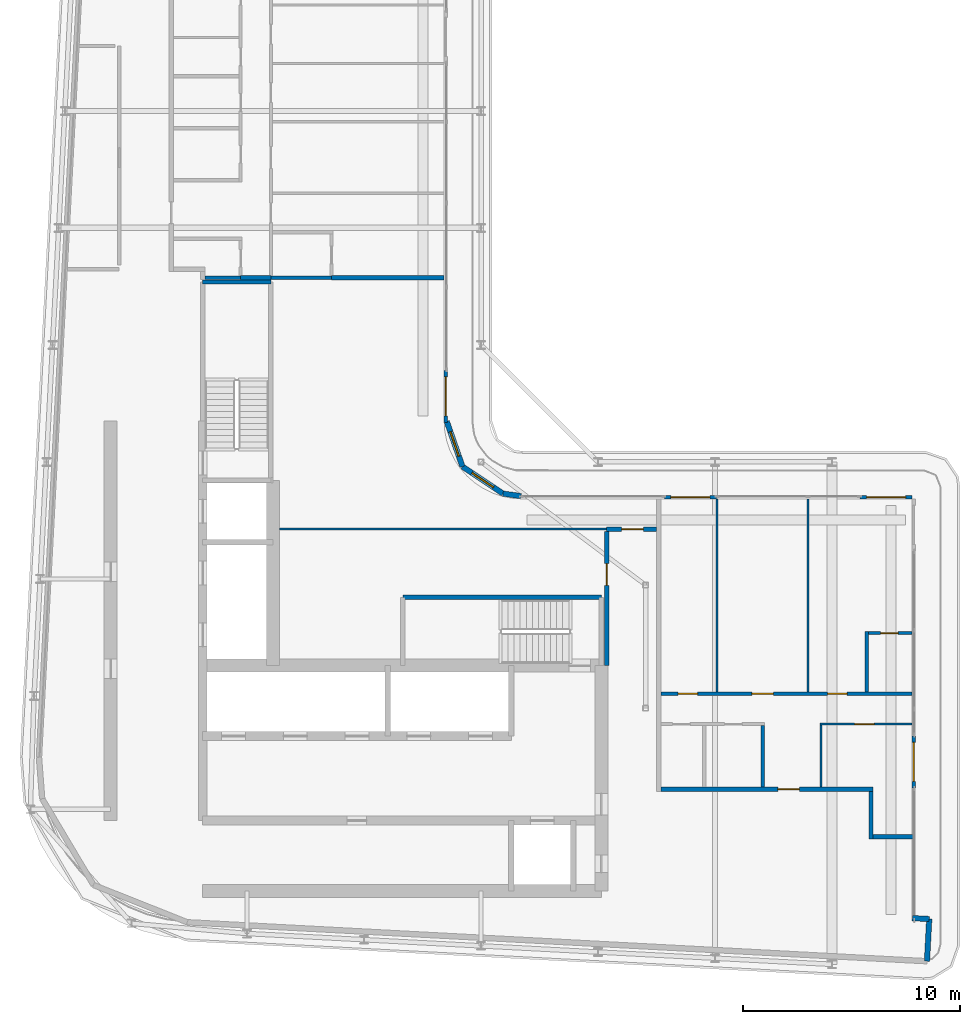
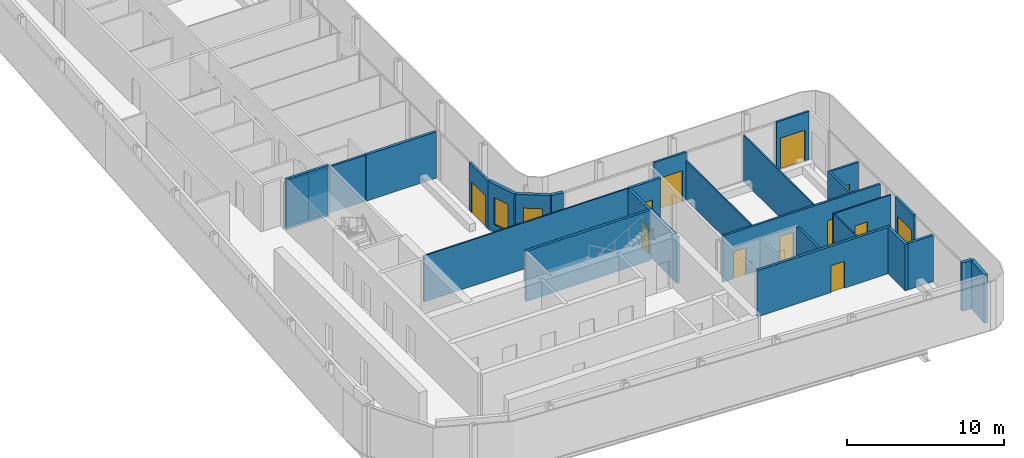
# One storey, part 12 of 21: 29 walls, 12 doors, 2 windows, 14 openings.
"""IFC4 building model written with IfcOpenShell, lengths in metres."""

from ifc_helpers import new_model, si_unit, direction, frame, frame_2d, origin, place, context, subcontext, project, spatial, rectangle, extrude, source, transform, mapped, material, layer, layer_set, type_object, element, fill, save


model = new_model("IFC4")

# Units and contexts
model_context = context("Model", 3, precision=1e-05, world=origin(), true_north=direction((0.0, 1.0)))
body_context = subcontext(model_context, "Body", "Model", "MODEL_VIEW")
ifc_project = project(units=[si_unit("LENGTHUNIT", "METRE"), si_unit("AREAUNIT", "SQUARE_METRE"), si_unit("VOLUMEUNIT", "CUBIC_METRE"), si_unit("PLANEANGLEUNIT", "RADIAN"), si_unit("MASSUNIT", "GRAM", prefix="KILO")], contexts=[model_context])

# Site, building, storey
site_placement = place(None, origin())
site = spatial("IfcSite", under=ifc_project, at=site_placement, CompositionType="ELEMENT")
building_placement = place(site_placement, origin())
building = spatial("IfcBuilding", under=site, at=building_placement, Name="Kheshtan School and Residences Tower", CompositionType="ELEMENT")
storey_placement = place(building_placement, frame((0.0, 0.0, 305.89990234375)))
storey = spatial("IfcBuildingStorey", under=building, at=storey_placement, Name="L72", CompositionType="ELEMENT", Elevation=305.89990234375)

# Wall, opening, door
ifc_material_1 = material(Name="Gypsum board on steel studs with fire boards", Category="steel")
ifc_layer_1 = layer(ifc_material_1, 0.199951171875)
ifc_layer_set_1 = layer_set([ifc_layer_1], Name="Corridor wall 200")
wall_type_1 = type_object("IfcWallType", Name="Corridor wall 200", PredefinedType="PARTITIONING", material=ifc_layer_set_1)
wall_1_placement = place(storey_placement, frame((53.39990234375, 36.198974609375, 0.0), z_axis=(0.0, 0.0, 1.0), x_axis=(0.0, 1.0, 0.0)))
wall_1 = element("IfcWall", 1, at=wall_1_placement, inside=storey, type_object=wall_type_1, Name="Partition L72-043", PredefinedType="PARTITIONING", context=body_context, shape_type="SweptSolid", body=[
    extrude(rectangle(XDim=6.200927734375, YDim=0.199951171875, at=frame_2d((3.1005859375, 0.0))), origin(), (0.0, 0.0, 1.0), 3.60009765625),
])
opening_1_placement = place(wall_1_placement, frame((3.70703125, 0.0, 0.0)))
opening_1 = element("IfcOpeningElement", 2, at=opening_1_placement, cuts=wall_1, Name="Opening D72-037", PredefinedType="OPENING", context=body_context, shape_type="SweptSolid", body=[
    extrude(rectangle(XDim=1.0, YDim=2.10009765625, at=frame_2d((0.5, 1.050048828125))), frame((0.0, 0.10986328125, 0.0), z_axis=(0.0, -1.0, 0.0), x_axis=(1.0, 0.0, 0.0)), (0.0, 0.0, 1.0), 0.219970703125),
])
ifc_material_2 = material(Name="Steel-framed fire-resisting door leaf", Category="steel")
door_type_1 = type_object("IfcDoorType", Name="Fire door FD60 1000 x 2100", OperationType="SINGLE_SWING_LEFT", PredefinedType="DOOR", material=ifc_material_2)
shared_shape_1 = source(origin(), body_context, "Body", "SweptSolid", [
    extrude(rectangle(XDim=1.0, YDim=2.10009765625, at=frame_2d((0.5, 1.050048828125))), frame((0.0, 0.02490234375, 0.0), z_axis=(0.0, -1.0, 0.0), x_axis=(1.0, 0.0, 0.0)), (0.0, 0.0, 1.0), 0.050048828125),
])
door_1_placement = place(opening_1_placement, origin())
door_1 = element("IfcDoor", 3, at=door_1_placement, inside=storey, type_object=door_type_1, Name="Door D72-037", OperationType="SINGLE_SWING_LEFT", OverallHeight=2.10009765625, OverallWidth=1.0, PredefinedType="DOOR", context=body_context, shape_type="MappedRepresentation", body=[
    mapped(shared_shape_1, transform((0.0, 0.0, 0.0), x_axis=(1.0, 0.0, 0.0), y_axis=(0.0, 1.0, 0.0), z_axis=(0.0, 0.0, 1.0), scale=1.0)),
])
fill(opening_1, door_1)

wall_2_placement = place(storey_placement, frame((53.39990234375, 42.5, 0.0), z_axis=(0.0, 0.0, 1.0), x_axis=(1.0, 0.0, 0.0)))
wall_2 = element("IfcWall", 4, at=wall_2_placement, inside=storey, type_object=wall_type_1, Name="Partition L72-044", PredefinedType="PARTITIONING", context=body_context, shape_type="SweptSolid", body=[
    extrude(rectangle(XDim=2.300048828125, YDim=0.199951171875, at=frame_2d((1.14990234375, 0.0))), origin(), (0.0, 0.0, 1.0), 3.60009765625),
])
opening_2_placement = place(wall_2_placement, frame((0.695068359375, 0.0, 0.0)))
opening_2 = element("IfcOpeningElement", 5, at=opening_2_placement, cuts=wall_2, Name="Opening D72-038", PredefinedType="OPENING", context=body_context, shape_type="SweptSolid", body=[
    extrude(rectangle(XDim=1.0, YDim=2.10009765625, at=frame_2d((0.5, 1.050048828125))), frame((0.0, 0.10986328125, 0.0), z_axis=(0.0, -1.0, 0.0), x_axis=(1.0, 0.0, 0.0)), (0.0, 0.0, 1.0), 0.219970703125),
])
door_2_placement = place(opening_2_placement, origin())
door_2 = element("IfcDoor", 6, at=door_2_placement, inside=storey, type_object=door_type_1, Name="Door D72-038", OperationType="SINGLE_SWING_RIGHT", OverallHeight=2.10009765625, OverallWidth=1.0, PredefinedType="DOOR", context=body_context, shape_type="MappedRepresentation", body=[
    mapped(shared_shape_1, transform((0.0, 0.0, 0.0), x_axis=(1.0, 0.0, 0.0), y_axis=(0.0, 1.0, 0.0), z_axis=(0.0, 0.0, 1.0), scale=1.0)),
])
fill(opening_2, door_2)

wall_3_placement = place(storey_placement, frame((55.89990234375, 30.5, 0.0), z_axis=(0.0, 0.0, 1.0), x_axis=(1.0, 0.0, 0.0)))
wall_3 = element("IfcWall", 7, at=wall_3_placement, inside=storey, type_object=wall_type_1, Name="Partition L72-046", PredefinedType="PARTITIONING", context=body_context, shape_type="SweptSolid", body=[
    extrude(rectangle(XDim=9.800048828125, YDim=0.199951171875, at=frame_2d((4.89990234375, 0.0))), origin(), (0.0, 0.0, 1.0), 3.60009765625),
])
opening_3_placement = place(wall_3_placement, frame((5.39990234375, 0.0, 0.0)))
opening_3 = element("IfcOpeningElement", 8, at=opening_3_placement, cuts=wall_3, Name="Opening D72-004", PredefinedType="OPENING", context=body_context, shape_type="SweptSolid", body=[
    extrude(rectangle(XDim=1.0, YDim=2.10009765625, at=frame_2d((0.5, 1.050048828125))), frame((0.0, 0.10986328125, 0.0), z_axis=(0.0, -1.0, 0.0), x_axis=(1.0, 0.0, 0.0)), (0.0, 0.0, 1.0), 0.219970703125),
])
door_type_2 = type_object("IfcDoorType", Name="Fire door FD30S 1000 x 2100", OperationType="SINGLE_SWING_LEFT", PredefinedType="DOOR", material=ifc_material_2)
shared_shape_2 = source(origin(), body_context, "Body", "SweptSolid", [
    extrude(rectangle(XDim=1.0, YDim=2.10009765625, at=frame_2d((0.5, 1.050048828125))), frame((0.0, 0.02490234375, 0.0), z_axis=(0.0, -1.0, 0.0), x_axis=(1.0, 0.0, 0.0)), (0.0, 0.0, 1.0), 0.050048828125),
])
door_3_placement = place(opening_3_placement, origin())
door_3 = element("IfcDoor", 9, at=door_3_placement, inside=storey, type_object=door_type_2, Name="Door D72-004", OperationType="SINGLE_SWING_LEFT", OverallHeight=2.10009765625, OverallWidth=1.0, PredefinedType="DOOR", context=body_context, shape_type="MappedRepresentation", body=[
    mapped(shared_shape_2, transform((0.0, 0.0, 0.0), x_axis=(1.0, 0.0, 0.0), y_axis=(0.0, 1.0, 0.0), z_axis=(0.0, 0.0, 1.0), scale=1.0)),
])
fill(opening_3, door_3)

# Walls
wall_4_placement = place(storey_placement, frame((65.60009765625, 28.199951171875, 0.0), z_axis=(0.0, 0.0, 1.0), x_axis=(0.0, 1.0, 0.0)))
element("IfcWall", 10, at=wall_4_placement, inside=storey, type_object=wall_type_1, Name="Partition L72-057", PredefinedType="PARTITIONING", context=body_context, shape_type="SweptSolid", body=[
    extrude(rectangle(XDim=2.199951171875, YDim=0.199951171875, at=frame_2d((1.10009765625, 0.0))), origin(), (0.0, 0.0, 1.0), 3.60009765625),
])
wall_5_placement = place(storey_placement, frame((65.699951171875, 28.300048828125, 0.0), z_axis=(0.0, 0.0, 1.0), x_axis=(1.0, 0.0, 0.0)))
element("IfcWall", 11, at=wall_5_placement, inside=storey, type_object=wall_type_1, Name="Partition L72-058", PredefinedType="PARTITIONING", context=body_context, shape_type="SweptSolid", body=[
    extrude(rectangle(XDim=1.8701171875, YDim=0.199951171875, at=frame_2d((0.93505859375, 0.0))), origin(), (0.0, 0.0, 1.0), 3.60009765625),
])

# Wall, opening, window
ifc_material_3 = material(Name="Concrete C40/50 with ceramic cladding and mineral wool insulation", Category="concrete")
ifc_layer_2 = layer(ifc_material_3, 0.25)
ifc_layer_set_2 = layer_set([ifc_layer_2], Name="External wall 250 ceramic clad")
wall_type_2 = type_object("IfcWallType", Name="External wall 250 ceramic clad", PredefinedType="SOLIDWALL", material=ifc_layer_set_2)
wall_6_placement = place(storey_placement, frame((46.01806640625, 47.470947265625, 0.0), z_axis=(0.0, 0.0, 1.0), x_axis=(0.328791208903, -0.944402637093, 0.0)))
wall_6 = element("IfcWall", 12, at=wall_6_placement, inside=storey, type_object=wall_type_2, Name="External wall L72 9", PredefinedType="SOLIDWALL", context=body_context, shape_type="SweptSolid", body=[
    extrude(rectangle(XDim=2.20458984375, YDim=0.25, at=frame_2d((1.102294921875, 0.0))), origin(), (0.0, 0.0, 1.0), 3.75),
])
opening_4_placement = place(wall_6_placement, frame((0.5029296875, 0.0, 0.60009765625)))
opening_4 = element("IfcOpeningElement", 13, at=opening_4_placement, cuts=wall_6, Name="Opening WN-E", PredefinedType="OPENING", context=body_context, shape_type="SweptSolid", body=[
    extrude(rectangle(XDim=1.199951171875, YDim=2.10009765625, at=frame_2d((0.60009765625, 1.050048828125))), frame((0.0, 0.135009765625, 0.0), z_axis=(0.0, -1.0, 0.0), x_axis=(1.0, 0.0, 0.0)), (0.0, 0.0, 1.0), 0.27001953125),
])
ifc_material_4 = material(Name="Clear low-e glass in thermally broken aluminium frame", Category="aluminium")
window_type = type_object("IfcWindowType", Name="Window WN-E", PartitioningType="SINGLE_PANEL", PredefinedType="WINDOW", material=ifc_material_4)
shared_shape_3 = source(origin(), body_context, "Body", "SweptSolid", [
    extrude(rectangle(XDim=1.199951171875, YDim=2.10009765625, at=frame_2d((0.60009765625, 1.050048828125))), frame((0.0, 0.030029296875, 0.0), z_axis=(0.0, -1.0, 0.0), x_axis=(1.0, 0.0, 0.0)), (0.0, 0.0, 1.0), 0.06005859375),
])
window_1_placement = place(opening_4_placement, origin())
window_1 = element("IfcWindow", 14, at=window_1_placement, inside=storey, type_object=window_type, Name="Window L72 9", OverallHeight=2.10009765625, OverallWidth=1.199951171875, PartitioningType="SINGLE_PANEL", PredefinedType="WINDOW", context=body_context, shape_type="MappedRepresentation", body=[
    mapped(shared_shape_3, transform((0.0, 0.0, 0.0), x_axis=(1.0, 0.0, 0.0), y_axis=(0.0, 1.0, 0.0), z_axis=(0.0, 0.0, 1.0), scale=1.0)),
])
fill(opening_4, window_1)

wall_7_placement = place(storey_placement, frame((46.742919921875, 45.388916015625, 0.0), z_axis=(0.0, 0.0, 1.0), x_axis=(0.831449265529, -0.555600682912, 0.0)))
wall_7 = element("IfcWall", 15, at=wall_7_placement, inside=storey, type_object=wall_type_2, Name="External wall L72 10", PredefinedType="SOLIDWALL", context=body_context, shape_type="SweptSolid", body=[
    extrude(rectangle(XDim=2.25146484375, YDim=0.25, at=frame_2d((1.125732421875, 0.0))), origin(), (0.0, 0.0, 1.0), 3.75),
])
opening_5_placement = place(wall_7_placement, frame((0.52490234375, 0.0, 0.60009765625)))
opening_5 = element("IfcOpeningElement", 16, at=opening_5_placement, cuts=wall_7, Name="Opening WN-E", PredefinedType="OPENING", context=body_context, shape_type="SweptSolid", body=[
    extrude(rectangle(XDim=1.199951171875, YDim=2.10009765625, at=frame_2d((0.60009765625, 1.050048828125))), frame((0.0, 0.135009765625, 0.0), z_axis=(0.0, -1.0, 0.0), x_axis=(1.0, 0.0, 0.0)), (0.0, 0.0, 1.0), 0.27001953125),
])
window_2_placement = place(opening_5_placement, origin())
window_2 = element("IfcWindow", 17, at=window_2_placement, inside=storey, type_object=window_type, Name="Window L72 10", OverallHeight=2.10009765625, OverallWidth=1.199951171875, PartitioningType="SINGLE_PANEL", PredefinedType="WINDOW", context=body_context, shape_type="MappedRepresentation", body=[
    mapped(shared_shape_3, transform((0.0, 0.0, 0.0), x_axis=(1.0, 0.0, 0.0), y_axis=(0.0, 1.0, 0.0), z_axis=(0.0, 0.0, 1.0), scale=1.0)),
])
fill(opening_5, window_2)

# Walls
wall_8_placement = place(storey_placement, frame((48.614990234375, 44.137939453125, 0.0), z_axis=(0.0, 0.0, 1.0), x_axis=(0.990741504246, -0.135761819977, 0.0)))
element("IfcWall", 18, at=wall_8_placement, inside=storey, type_object=wall_type_2, Name="External wall L72 11", PredefinedType="SOLIDWALL", context=body_context, shape_type="SweptSolid", body=[
    extrude(rectangle(XDim=0.83984375, YDim=0.25, at=frame_2d((0.419921875, 0.0))), origin(), (0.0, 0.0, 1.0), 3.75),
])
wall_9_placement = place(storey_placement, frame((67.507080078125, 24.5439453125, 0.0), z_axis=(0.0, 0.0, 1.0), x_axis=(0.998561284263, -0.053622398031, 0.0)))
element("IfcWall", 19, at=wall_9_placement, inside=storey, type_object=wall_type_2, Name="External wall L72 14", PredefinedType="SOLIDWALL", context=body_context, shape_type="SweptSolid", body=[
    extrude(rectangle(XDim=0.783203125, YDim=0.25, at=frame_2d((0.3916015625, 0.0))), origin(), (0.0, 0.0, 1.0), 3.75),
])
wall_10_placement = place(storey_placement, frame((68.2890625, 24.501953125, 0.0), z_axis=(0.0, 0.0, 1.0), x_axis=(-0.052841433274, -0.998602915542, 0.0)))
element("IfcWall", 20, at=wall_10_placement, inside=storey, type_object=wall_type_2, Name="External wall L72 15", PredefinedType="SOLIDWALL", context=body_context, shape_type="SweptSolid", body=[
    extrude(rectangle(XDim=1.94970703125, YDim=0.25, at=frame_2d((0.974853515625, 0.0))), origin(), (0.0, 0.0, 1.0), 3.75),
])

# Wall, opening, door
ifc_material_5 = material(Name="Aluminium frame wall with insulated infill", Category="aluminium")
ifc_layer_3 = layer(ifc_material_5, 0.14990234375)
ifc_layer_set_3 = layer_set([ifc_layer_3], Name="Glazing frame wall 150")
wall_type_3 = type_object("IfcWallType", Name="Glazing frame wall 150", PredefinedType="SOLIDWALL", material=ifc_layer_set_3)
wall_11_placement = place(storey_placement, frame((45.97509765625, 49.830078125, 0.0), z_axis=(0.0, 0.0, 1.0), x_axis=(0.0, -1.0, 0.0)))
wall_11 = element("IfcWall", 21, at=wall_11_placement, inside=storey, type_object=wall_type_3, Name="Balcony door wall L72 8.5", PredefinedType="SOLIDWALL", context=body_context, shape_type="SweptSolid", body=[
    extrude(rectangle(XDim=2.400146484375, YDim=0.14990234375, at=frame_2d((1.2001953125, 0.0))), origin(), (0.0, 0.0, 1.0), 3.75),
])
opening_6_placement = place(wall_11_placement, frame((0.300048828125, 0.0, 0.0)))
opening_6 = element("IfcOpeningElement", 22, at=opening_6_placement, cuts=wall_11, Name="Opening BD", PredefinedType="OPENING", context=body_context, shape_type="SweptSolid", body=[
    extrude(rectangle(XDim=1.800048828125, YDim=2.39990234375, at=frame_2d((0.89990234375, 1.199951171875))), frame((0.0, 0.0849609375, 0.0), z_axis=(0.0, -1.0, 0.0), x_axis=(1.0, 0.0, 0.0)), (0.0, 0.0, 1.0), 0.169921875),
])
door_type_3 = type_object("IfcDoorType", Name="Balcony sliding door", OperationType="SLIDING_TO_LEFT", PredefinedType="DOOR", material=ifc_material_4)
shared_shape_4 = source(origin(), body_context, "Body", "SweptSolid", [
    extrude(rectangle(XDim=1.800048828125, YDim=2.39990234375, at=frame_2d((0.89990234375, 1.199951171875))), frame((0.0, 0.02490234375, 0.0), z_axis=(0.0, -1.0, 0.0), x_axis=(1.0, 0.0, 0.0)), (0.0, 0.0, 1.0), 0.050048828125),
])
door_4_placement = place(opening_6_placement, origin())
door_4 = element("IfcDoor", 23, at=door_4_placement, inside=storey, type_object=door_type_3, Name="Balcony door L72 8.5", OperationType="SLIDING_TO_LEFT", OverallHeight=2.39990234375, OverallWidth=1.800048828125, PredefinedType="DOOR", context=body_context, shape_type="MappedRepresentation", body=[
    mapped(shared_shape_4, transform((0.0, 0.0, 0.0), x_axis=(1.0, 0.0, 0.0), y_axis=(0.0, 1.0, 0.0), z_axis=(0.0, 0.0, 1.0), scale=1.0)),
])
fill(opening_6, door_4)

wall_12_placement = place(storey_placement, frame((56.06494140625, 43.97509765625, 0.0), z_axis=(0.0, 0.0, 1.0), x_axis=(1.0, 0.0, 0.0)))
wall_12 = element("IfcWall", 24, at=wall_12_placement, inside=storey, type_object=wall_type_3, Name="Balcony door wall L72 12.1", PredefinedType="SOLIDWALL", context=body_context, shape_type="SweptSolid", body=[
    extrude(rectangle(XDim=2.400146484375, YDim=0.14990234375, at=frame_2d((1.2001953125, 0.0))), origin(), (0.0, 0.0, 1.0), 3.75),
])
opening_7_placement = place(wall_12_placement, frame((0.300048828125, 0.0, 0.0)))
opening_7 = element("IfcOpeningElement", 25, at=opening_7_placement, cuts=wall_12, Name="Opening BD", PredefinedType="OPENING", context=body_context, shape_type="SweptSolid", body=[
    extrude(rectangle(XDim=1.800048828125, YDim=2.39990234375, at=frame_2d((0.89990234375, 1.199951171875))), frame((0.0, 0.0849609375, 0.0), z_axis=(0.0, -1.0, 0.0), x_axis=(1.0, 0.0, 0.0)), (0.0, 0.0, 1.0), 0.169921875),
])
door_5_placement = place(opening_7_placement, origin())
door_5 = element("IfcDoor", 26, at=door_5_placement, inside=storey, type_object=door_type_3, Name="Balcony door L72 12.1", OperationType="SLIDING_TO_LEFT", OverallHeight=2.39990234375, OverallWidth=1.800048828125, PredefinedType="DOOR", context=body_context, shape_type="MappedRepresentation", body=[
    mapped(shared_shape_4, transform((0.0, 0.0, 0.0), x_axis=(1.0, 0.0, 0.0), y_axis=(0.0, 1.0, 0.0), z_axis=(0.0, 0.0, 1.0), scale=1.0)),
])
fill(opening_7, door_5)

wall_13_placement = place(storey_placement, frame((65.10009765625, 43.97509765625, 0.0), z_axis=(0.0, 0.0, 1.0), x_axis=(1.0, 0.0, 0.0)))
wall_13 = element("IfcWall", 27, at=wall_13_placement, inside=storey, type_object=wall_type_3, Name="Balcony door wall L72 12.2", PredefinedType="SOLIDWALL", context=body_context, shape_type="SweptSolid", body=[
    extrude(rectangle(XDim=2.39990234375, YDim=0.14990234375, at=frame_2d((1.199951171875, 0.0))), origin(), (0.0, 0.0, 1.0), 3.75),
])
opening_8_placement = place(wall_13_placement, frame((0.300048828125, 0.0, 0.0)))
opening_8 = element("IfcOpeningElement", 28, at=opening_8_placement, cuts=wall_13, Name="Opening BD", PredefinedType="OPENING", context=body_context, shape_type="SweptSolid", body=[
    extrude(rectangle(XDim=1.800048828125, YDim=2.39990234375, at=frame_2d((0.89990234375, 1.199951171875))), frame((0.0, 0.0849609375, 0.0), z_axis=(0.0, -1.0, 0.0), x_axis=(1.0, 0.0, 0.0)), (0.0, 0.0, 1.0), 0.169921875),
])
door_6_placement = place(opening_8_placement, origin())
door_6 = element("IfcDoor", 29, at=door_6_placement, inside=storey, type_object=door_type_3, Name="Balcony door L72 12.2", OperationType="SLIDING_TO_LEFT", OverallHeight=2.39990234375, OverallWidth=1.800048828125, PredefinedType="DOOR", context=body_context, shape_type="MappedRepresentation", body=[
    mapped(shared_shape_4, transform((0.0, 0.0, 0.0), x_axis=(1.0, 0.0, 0.0), y_axis=(0.0, 1.0, 0.0), z_axis=(0.0, 0.0, 1.0), scale=1.0)),
])
fill(opening_8, door_6)

wall_14_placement = place(storey_placement, frame((67.574951171875, 32.958984375, 0.0), z_axis=(0.0, 0.0, 1.0), x_axis=(0.0, -1.0, 0.0)))
wall_14 = element("IfcWall", 30, at=wall_14_placement, inside=storey, type_object=wall_type_3, Name="Balcony door wall L72 13.2", PredefinedType="SOLIDWALL", context=body_context, shape_type="SweptSolid", body=[
    extrude(rectangle(XDim=2.39990234375, YDim=0.14990234375, at=frame_2d((1.199951171875, 0.0))), origin(), (0.0, 0.0, 1.0), 3.75),
])
opening_9_placement = place(wall_14_placement, frame((0.300048828125, 0.0, 0.0)))
opening_9 = element("IfcOpeningElement", 31, at=opening_9_placement, cuts=wall_14, Name="Opening BD", PredefinedType="OPENING", context=body_context, shape_type="SweptSolid", body=[
    extrude(rectangle(XDim=1.800048828125, YDim=2.39990234375, at=frame_2d((0.89990234375, 1.199951171875))), frame((0.0, 0.0849609375, 0.0), z_axis=(0.0, -1.0, 0.0), x_axis=(1.0, 0.0, 0.0)), (0.0, 0.0, 1.0), 0.169921875),
])
door_7_placement = place(opening_9_placement, origin())
door_7 = element("IfcDoor", 32, at=door_7_placement, inside=storey, type_object=door_type_3, Name="Balcony door L72 13.2", OperationType="SLIDING_TO_LEFT", OverallHeight=2.39990234375, OverallWidth=1.800048828125, PredefinedType="DOOR", context=body_context, shape_type="MappedRepresentation", body=[
    mapped(shared_shape_4, transform((0.0, 0.0, 0.0), x_axis=(1.0, 0.0, 0.0), y_axis=(0.0, 1.0, 0.0), z_axis=(0.0, 0.0, 1.0), scale=1.0)),
])
fill(opening_9, door_7)

# Walls
ifc_material_6 = material(Name="Gypsum board on steel studs", Category="steel")
ifc_layer_4 = layer(ifc_material_6, 0.10009765625)
ifc_layer_set_4 = layer_set([ifc_layer_4], Name="Gypsum partition 100")
wall_type_4 = type_object("IfcWallType", Name="Gypsum partition 100", PredefinedType="PARTITIONING", material=ifc_layer_set_4)
wall_15_placement = place(storey_placement, frame((38.299072265625, 42.5, 0.0), z_axis=(0.0, 0.0, 1.0), x_axis=(1.0, 0.0, 0.0)))
element("IfcWall", 33, at=wall_15_placement, inside=storey, type_object=wall_type_4, Name="Partition L72-040", PredefinedType="PARTITIONING", context=body_context, shape_type="SweptSolid", body=[
    extrude(rectangle(XDim=15.100830078125, YDim=0.10009765625, at=frame_2d((7.55029296875, 0.0))), origin(), (0.0, 0.0, 1.0), 3.60009765625),
])
wall_16_placement = place(storey_placement, frame((58.5, 34.97509765625, 0.0), z_axis=(0.0, 0.0, 1.0), x_axis=(0.0, 1.0, 0.0)))
element("IfcWall", 34, at=wall_16_placement, inside=storey, type_object=wall_type_4, Name="Partition L72-050", PredefinedType="PARTITIONING", context=body_context, shape_type="SweptSolid", body=[
    extrude(rectangle(XDim=8.9248046875, YDim=0.10009765625, at=frame_2d((4.46240234375, 0.0))), origin(), (0.0, 0.0, 1.0), 3.072021484375),
])
wall_17_placement = place(storey_placement, frame((62.699951171875, 34.97509765625, 0.0), z_axis=(0.0, 0.0, 1.0), x_axis=(0.0, 1.0, 0.0)))
element("IfcWall", 35, at=wall_17_placement, inside=storey, type_object=wall_type_4, Name="Partition L72-052", PredefinedType="PARTITIONING", context=body_context, shape_type="SweptSolid", body=[
    extrude(rectangle(XDim=8.9248046875, YDim=0.10009765625, at=frame_2d((4.46240234375, 0.0))), origin(), (0.0, 0.0, 1.0), 3.60009765625),
])

# Wall, opening, door
wall_18_placement = place(storey_placement, frame((63.25, 33.5, 0.0), z_axis=(0.0, 0.0, 1.0), x_axis=(1.0, 0.0, 0.0)))
wall_18 = element("IfcWall", 36, at=wall_18_placement, inside=storey, type_object=wall_type_4, Name="Partition L72-053", PredefinedType="PARTITIONING", context=body_context, shape_type="SweptSolid", body=[
    extrude(rectangle(XDim=4.25, YDim=0.10009765625, at=frame_2d((2.125, 0.0))), origin(), (0.0, 0.0, 1.0), 3.60009765625),
])
opening_10_placement = place(wall_18_placement, frame((1.60009765625, 0.0, 0.0)))
opening_10 = element("IfcOpeningElement", 37, at=opening_10_placement, cuts=wall_18, Name="Opening D72-005", PredefinedType="OPENING", context=body_context, shape_type="SweptSolid", body=[
    extrude(rectangle(XDim=0.89990234375, YDim=2.10009765625, at=frame_2d((0.449951171875, 1.050048828125))), frame((0.0, 0.06005859375, 0.0), z_axis=(0.0, -1.0, 0.0), x_axis=(1.0, 0.0, 0.0)), (0.0, 0.0, 1.0), 0.1201171875),
])
ifc_material_7 = material(Name="Veneered timber door leaf", Category="wood")
door_type_4 = type_object("IfcDoorType", Name="Door 900 x 2100", OperationType="SINGLE_SWING_LEFT", PredefinedType="DOOR", material=ifc_material_7)
shared_shape_5 = source(origin(), body_context, "Body", "SweptSolid", [
    extrude(rectangle(XDim=0.89990234375, YDim=2.10009765625, at=frame_2d((0.449951171875, 1.050048828125))), frame((0.0, 0.02490234375, 0.0), z_axis=(0.0, -1.0, 0.0), x_axis=(1.0, 0.0, 0.0)), (0.0, 0.0, 1.0), 0.050048828125),
])
door_8_placement = place(opening_10_placement, origin())
door_8 = element("IfcDoor", 38, at=door_8_placement, inside=storey, type_object=door_type_4, Name="Door D72-005", OperationType="SINGLE_SWING_LEFT", OverallHeight=2.10009765625, OverallWidth=0.89990234375, PredefinedType="DOOR", context=body_context, shape_type="MappedRepresentation", body=[
    mapped(shared_shape_5, transform((0.0, 0.0, 0.0), x_axis=(1.0, 0.0, 0.0), y_axis=(0.0, 1.0, 0.0), z_axis=(0.0, 0.0, 1.0), scale=1.0)),
])
fill(opening_10, door_8)

# Walls
wall_19_placement = place(storey_placement, frame((63.300048828125, 30.60009765625, 0.0), z_axis=(0.0, 0.0, 1.0), x_axis=(0.0, 1.0, 0.0)))
element("IfcWall", 39, at=wall_19_placement, inside=storey, type_object=wall_type_4, Name="Partition L72-054", PredefinedType="PARTITIONING", context=body_context, shape_type="SweptSolid", body=[
    extrude(rectangle(XDim=2.849853515625, YDim=0.10009765625, at=frame_2d((1.4248046875, 0.0))), origin(), (0.0, 0.0, 1.0), 3.60009765625),
])
ifc_material_8 = material(Name="Concrete C40/50", Category="concrete")
ifc_layer_5 = layer(ifc_material_8, 0.199951171875)
ifc_layer_set_5 = layer_set([ifc_layer_5], Name="Stair enclosure wall 200 Concrete C40/50")
wall_type_5 = type_object("IfcWallType", Name="Stair enclosure wall 200 Concrete C40/50", PredefinedType="SHEAR", material=ifc_layer_set_5)
wall_20_placement = place(storey_placement, frame((43.989990234375, 39.35009765625, 0.0), z_axis=(0.0, 0.0, 1.0), x_axis=(1.0, 0.0, 0.0)))
element("IfcWall", 40, at=wall_20_placement, inside=storey, type_object=wall_type_5, Name="Stair enclosure wall ST1", PredefinedType="SHEAR", context=body_context, shape_type="SweptSolid", body=[
    extrude(rectangle(XDim=9.159912109375, YDim=0.199951171875, at=frame_2d((4.580078125, 0.0))), origin(), (0.0, 0.0, 1.0), 3.900146484375),
])
wall_21_placement = place(storey_placement, frame((34.75, 53.909912109375, 0.0), z_axis=(0.0, 0.0, 1.0), x_axis=(1.0, 0.0, 0.0)))
element("IfcWall", 41, at=wall_21_placement, inside=storey, type_object=wall_type_5, Name="Stair enclosure wall ST2", PredefinedType="SHEAR", context=body_context, shape_type="SweptSolid", body=[
    extrude(rectangle(XDim=3.14990234375, YDim=0.199951171875, at=frame_2d((1.574951171875, 0.0))), origin(), (0.0, 0.0, 1.0), 3.900146484375),
])
ifc_material_9 = material(Name="Twin gypsum board on steel studs with mineral wool", Category="steel")
ifc_layer_6 = layer(ifc_material_9, 0.199951171875)
ifc_layer_set_6 = layer_set([ifc_layer_6], Name="Unit demising wall 200")
wall_type_6 = type_object("IfcWallType", Name="Unit demising wall 200", PredefinedType="PARTITIONING", material=ifc_layer_set_6)
wall_22_placement = place(storey_placement, frame((36.5, 54.10009765625, 0.0), z_axis=(0.0, 0.0, 1.0), x_axis=(1.0, 0.0, 0.0)))
element("IfcWall", 42, at=wall_22_placement, inside=storey, type_object=wall_type_6, Name="Partition L72-020", PredefinedType="PARTITIONING", context=body_context, shape_type="SweptSolid", body=[
    extrude(rectangle(XDim=1.39990234375, YDim=0.199951171875, at=frame_2d((0.699951171875, 0.0))), origin(), (0.0, 0.0, 1.0), 3.60009765625),
])
wall_23_placement = place(storey_placement, frame((40.699951171875, 54.10009765625, 0.0), z_axis=(0.0, 0.0, 1.0), x_axis=(1.0, 0.0, 0.0)))
element("IfcWall", 43, at=wall_23_placement, inside=storey, type_object=wall_type_6, Name="Partition L72-041", PredefinedType="PARTITIONING", context=body_context, shape_type="SweptSolid", body=[
    extrude(rectangle(XDim=5.199951171875, YDim=0.199951171875, at=frame_2d((2.60009765625, 0.0))), origin(), (0.0, 0.0, 1.0), 3.60009765625),
])
ifc_material_10 = material(Name="Moisture-resistant gypsum board on steel studs", Category="steel")
ifc_layer_7 = layer(ifc_material_10, 0.14990234375)
ifc_layer_set_7 = layer_set([ifc_layer_7], Name="Wet-room partition 150")
wall_type_7 = type_object("IfcWallType", Name="Wet-room partition 150", PredefinedType="PARTITIONING", material=ifc_layer_set_7)
wall_24_placement = place(storey_placement, frame((34.85009765625, 54.10009765625, 0.0), z_axis=(0.0, 0.0, 1.0), x_axis=(1.0, 0.0, 0.0)))
element("IfcWall", 44, at=wall_24_placement, inside=storey, type_object=wall_type_7, Name="Partition L72-019", PredefinedType="PARTITIONING", context=body_context, shape_type="SweptSolid", body=[
    extrude(rectangle(XDim=1.64990234375, YDim=0.14990234375, at=frame_2d((0.824951171875, 0.0))), origin(), (0.0, 0.0, 1.0), 3.60009765625),
])
wall_25_placement = place(storey_placement, frame((37.89990234375, 54.10009765625, 0.0), z_axis=(0.0, 0.0, 1.0), x_axis=(1.0, 0.0, 0.0)))
element("IfcWall", 45, at=wall_25_placement, inside=storey, type_object=wall_type_7, Name="Partition L72-029", PredefinedType="PARTITIONING", context=body_context, shape_type="SweptSolid", body=[
    extrude(rectangle(XDim=2.800048828125, YDim=0.14990234375, at=frame_2d((1.39990234375, 0.0))), origin(), (0.0, 0.0, 1.0), 3.60009765625),
])

# Wall, openings, doors
wall_26_placement = place(storey_placement, frame((55.89990234375, 34.89990234375, 0.0), z_axis=(0.0, 0.0, 1.0), x_axis=(1.0, 0.0, 0.0)))
wall_26 = element("IfcWall", 46, at=wall_26_placement, inside=storey, type_object=wall_type_7, Name="Partition L72-048", PredefinedType="PARTITIONING", context=body_context, shape_type="SweptSolid", body=[
    extrude(rectangle(XDim=11.60009765625, YDim=0.14990234375, at=frame_2d((5.800048828125, 0.0))), origin(), (0.0, 0.0, 1.0), 3.60009765625),
])
opening_11_placement = place(wall_26_placement, frame((0.800048828125, 0.0, 0.0)))
opening_11 = element("IfcOpeningElement", 47, at=opening_11_placement, cuts=wall_26, Name="Opening D72-002", PredefinedType="OPENING", context=body_context, shape_type="SweptSolid", body=[
    extrude(rectangle(XDim=0.89990234375, YDim=2.10009765625, at=frame_2d((0.449951171875, 1.050048828125))), frame((0.0, 0.0849609375, 0.0), z_axis=(0.0, -1.0, 0.0), x_axis=(1.0, 0.0, 0.0)), (0.0, 0.0, 1.0), 0.169921875),
])
opening_12_placement = place(wall_26_placement, frame((4.199951171875, 0.0, 0.0)))
opening_12 = element("IfcOpeningElement", 48, at=opening_12_placement, cuts=wall_26, Name="Opening D72-006", PredefinedType="OPENING", context=body_context, shape_type="SweptSolid", body=[
    extrude(rectangle(XDim=1.0, YDim=2.10009765625, at=frame_2d((0.5, 1.050048828125))), frame((0.0, 0.0849609375, 0.0), z_axis=(0.0, -1.0, 0.0), x_axis=(1.0, 0.0, 0.0)), (0.0, 0.0, 1.0), 0.169921875),
])
opening_13_placement = place(wall_26_placement, frame((7.699951171875, 0.0, 0.0)))
opening_13 = element("IfcOpeningElement", 49, at=opening_13_placement, cuts=wall_26, Name="Opening D72-007", PredefinedType="OPENING", context=body_context, shape_type="SweptSolid", body=[
    extrude(rectangle(XDim=0.89990234375, YDim=2.10009765625, at=frame_2d((0.449951171875, 1.050048828125))), frame((0.0, 0.0849609375, 0.0), z_axis=(0.0, -1.0, 0.0), x_axis=(1.0, 0.0, 0.0)), (0.0, 0.0, 1.0), 0.169921875),
])
door_type_5 = type_object("IfcDoorType", Name="Door 1000 x 2100", OperationType="SINGLE_SWING_LEFT", PredefinedType="DOOR", material=ifc_material_7)
shared_shape_6 = source(origin(), body_context, "Body", "SweptSolid", [
    extrude(rectangle(XDim=1.0, YDim=2.10009765625, at=frame_2d((0.5, 1.050048828125))), frame((0.0, 0.02490234375, 0.0), z_axis=(0.0, -1.0, 0.0), x_axis=(1.0, 0.0, 0.0)), (0.0, 0.0, 1.0), 0.050048828125),
])
door_9_placement = place(opening_12_placement, origin())
door_9 = element("IfcDoor", 50, at=door_9_placement, inside=storey, type_object=door_type_5, Name="Door D72-006", OperationType="SINGLE_SWING_LEFT", OverallHeight=2.10009765625, OverallWidth=1.0, PredefinedType="DOOR", context=body_context, shape_type="MappedRepresentation", body=[
    mapped(shared_shape_6, transform((0.0, 0.0, 0.0), x_axis=(1.0, 0.0, 0.0), y_axis=(0.0, 1.0, 0.0), z_axis=(0.0, 0.0, 1.0), scale=1.0)),
])
fill(opening_12, door_9)
door_10_placement = place(opening_11_placement, origin())
door_10 = element("IfcDoor", 51, at=door_10_placement, inside=storey, type_object=door_type_4, Name="Door D72-002", OperationType="SINGLE_SWING_LEFT", OverallHeight=2.10009765625, OverallWidth=0.89990234375, PredefinedType="DOOR", context=body_context, shape_type="MappedRepresentation", body=[
    mapped(shared_shape_5, transform((0.0, 0.0, 0.0), x_axis=(1.0, 0.0, 0.0), y_axis=(0.0, 1.0, 0.0), z_axis=(0.0, 0.0, 1.0), scale=1.0)),
])
fill(opening_11, door_10)
door_11_placement = place(opening_13_placement, origin())
door_11 = element("IfcDoor", 52, at=door_11_placement, inside=storey, type_object=door_type_4, Name="Door D72-007", OperationType="SINGLE_SWING_RIGHT", OverallHeight=2.10009765625, OverallWidth=0.89990234375, PredefinedType="DOOR", context=body_context, shape_type="MappedRepresentation", body=[
    mapped(shared_shape_5, transform((0.0, 0.0, 0.0), x_axis=(1.0, 0.0, 0.0), y_axis=(0.0, 1.0, 0.0), z_axis=(0.0, 0.0, 1.0), scale=1.0)),
])
fill(opening_13, door_11)

# Walls
wall_27_placement = place(storey_placement, frame((60.60009765625, 30.60009765625, 0.0), z_axis=(0.0, 0.0, 1.0), x_axis=(0.0, 1.0, 0.0)))
element("IfcWall", 53, at=wall_27_placement, inside=storey, type_object=wall_type_7, Name="Partition L72-051", PredefinedType="PARTITIONING", context=body_context, shape_type="SweptSolid", body=[
    extrude(rectangle(XDim=2.824951171875, YDim=0.14990234375, at=frame_2d((1.41259765625, 0.0))), origin(), (0.0, 0.0, 1.0), 3.60009765625),
])
wall_28_placement = place(storey_placement, frame((65.39990234375, 34.97509765625, 0.0), z_axis=(0.0, 0.0, 1.0), x_axis=(0.0, 1.0, 0.0)))
element("IfcWall", 54, at=wall_28_placement, inside=storey, type_object=wall_type_7, Name="Partition L72-055", PredefinedType="PARTITIONING", context=body_context, shape_type="SweptSolid", body=[
    extrude(rectangle(XDim=2.7998046875, YDim=0.14990234375, at=frame_2d((1.39990234375, 0.0))), origin(), (0.0, 0.0, 1.0), 3.60009765625),
])

# Wall, opening, door
wall_29_placement = place(storey_placement, frame((65.47509765625, 37.699951171875, 0.0), z_axis=(0.0, 0.0, 1.0), x_axis=(1.0, 0.0, 0.0)))
wall_29 = element("IfcWall", 55, at=wall_29_placement, inside=storey, type_object=wall_type_7, Name="Partition L72-056", PredefinedType="PARTITIONING", context=body_context, shape_type="SweptSolid", body=[
    extrude(rectangle(XDim=2.02490234375, YDim=0.14990234375, at=frame_2d((1.012451171875, 0.0))), origin(), (0.0, 0.0, 1.0), 3.60009765625),
])
opening_14_placement = place(wall_29_placement, frame((0.574951171875, 0.0, 0.0)))
opening_14 = element("IfcOpeningElement", 56, at=opening_14_placement, cuts=wall_29, Name="Opening D72-003", PredefinedType="OPENING", context=body_context, shape_type="SweptSolid", body=[
    extrude(rectangle(XDim=0.800048828125, YDim=2.10009765625, at=frame_2d((0.39990234375, 1.050048828125))), frame((0.0, 0.0849609375, 0.0), z_axis=(0.0, -1.0, 0.0), x_axis=(1.0, 0.0, 0.0)), (0.0, 0.0, 1.0), 0.169921875),
])
door_type_6 = type_object("IfcDoorType", Name="Door 800 x 2100", OperationType="SINGLE_SWING_LEFT", PredefinedType="DOOR", material=ifc_material_7)
shared_shape_7 = source(origin(), body_context, "Body", "SweptSolid", [
    extrude(rectangle(XDim=0.800048828125, YDim=2.10009765625, at=frame_2d((0.39990234375, 1.050048828125))), frame((0.0, 0.02490234375, 0.0), z_axis=(0.0, -1.0, 0.0), x_axis=(1.0, 0.0, 0.0)), (0.0, 0.0, 1.0), 0.050048828125),
])
door_12_placement = place(opening_14_placement, origin())
door_12 = element("IfcDoor", 57, at=door_12_placement, inside=storey, type_object=door_type_6, Name="Door D72-003", OperationType="SINGLE_SWING_RIGHT", OverallHeight=2.10009765625, OverallWidth=0.800048828125, PredefinedType="DOOR", context=body_context, shape_type="MappedRepresentation", body=[
    mapped(shared_shape_7, transform((0.0, 0.0, 0.0), x_axis=(1.0, 0.0, 0.0), y_axis=(0.0, 1.0, 0.0), z_axis=(0.0, 0.0, 1.0), scale=1.0)),
])
fill(opening_14, door_12)

save(model, "model.ifc")
